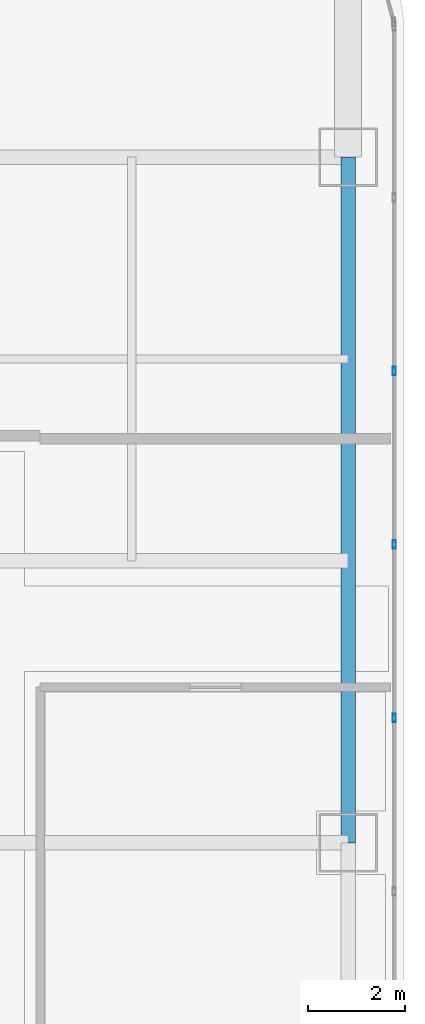
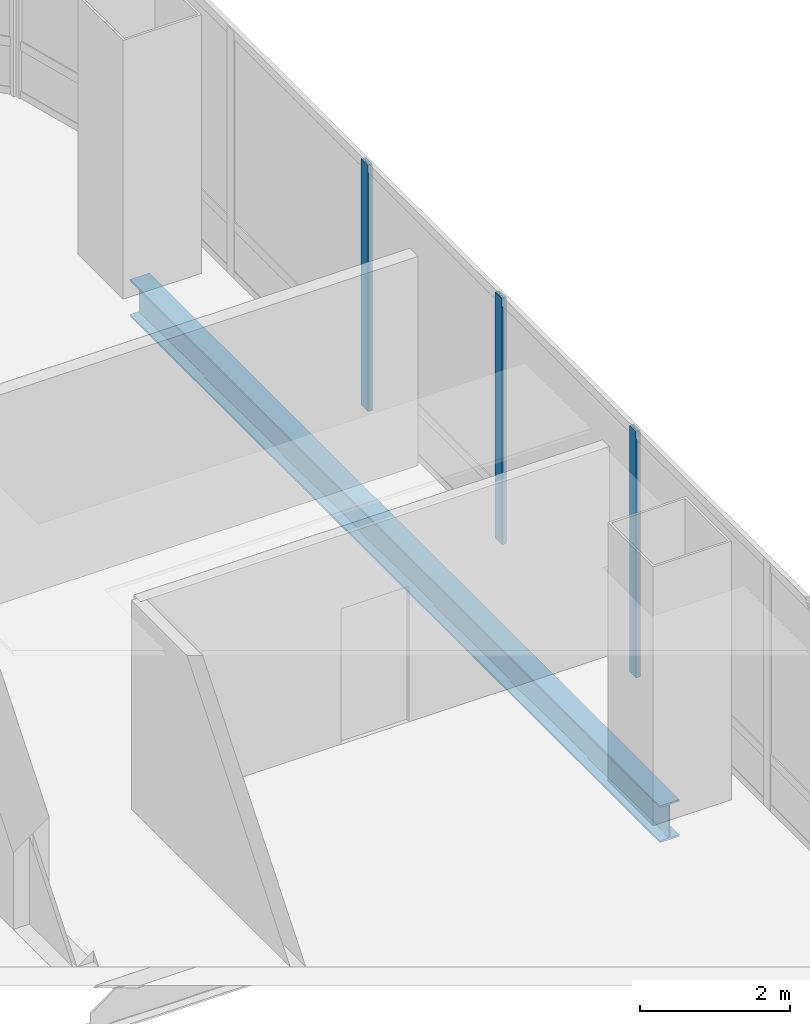
# One storey, part 20 of 41: 3 members, 1 beam, 1 element without a shape of its own.
"""IFC4 building model written with IfcOpenShell, lengths in metres."""

from ifc_helpers import new_model, si_unit, direction, frame, origin, origin_2d, place, context, subcontext, project, spatial, hollow_rectangle, i_section, extrude, material, material_profile, profile_set, type_object, element, aggregate, save


model = new_model("IFC4")

# Units and contexts
model_context = context("Model", 3, precision=1e-05, world=origin(), true_north=direction((0.0, 1.0)))
body_context = subcontext(model_context, "Body", "Model", "MODEL_VIEW")
ifc_project = project(units=[si_unit("LENGTHUNIT", "METRE"), si_unit("AREAUNIT", "SQUARE_METRE"), si_unit("VOLUMEUNIT", "CUBIC_METRE"), si_unit("PLANEANGLEUNIT", "RADIAN"), si_unit("MASSUNIT", "GRAM", prefix="KILO")], contexts=[model_context])

# Site, building, storey
site_placement = place(None, origin())
site = spatial("IfcSite", under=ifc_project, at=site_placement, CompositionType="ELEMENT")
building_placement = place(site_placement, origin())
building = spatial("IfcBuilding", under=site, at=building_placement, Name="Punatoya Terracotta Tower", CompositionType="ELEMENT")
storey_placement = place(building_placement, frame((0.0, 0.0, 288.0)))
storey = spatial("IfcBuildingStorey", under=building, at=storey_placement, Name="L68", CompositionType="ELEMENT", Elevation=288.0)

# Beam
ifc_material_1 = material(Name="Steel S355", Category="steel")
ifc_material_profile_1 = material_profile(ifc_material_1, i_section(OverallWidth=0.300048828125, OverallDepth=0.60009765625, WebThickness=0.015380859375, FlangeThickness=0.030029296875, FilletRadius=0.01806640625, at=origin_2d()))
ifc_profile_set_1 = profile_set([ifc_material_profile_1], Name="Steel S355")
beam_type = type_object("IfcBeamType", Name="BM-PRI-600", PredefinedType="BEAM", material=ifc_profile_set_1)
beam_placement = place(storey_placement, frame((19.10009765625, 3.39990234375, -0.5), z_axis=(0.0, 1.0, 0.0), x_axis=(-1.0, 0.0, 0.0)))
element("IfcBeam", 1, at=beam_placement, inside=storey, type_object=beam_type, Name="BM-L68-RG-E3", PredefinedType="BEAM", context=body_context, shape_type="SweptSolid", body=[
    extrude(i_section(OverallWidth=0.300048828125, OverallDepth=0.60009765625, WebThickness=0.015380859375, FlangeThickness=0.030029296875, FilletRadius=0.01806640625, at=origin_2d()), origin(), (0.0, 0.0, 1.0), 14.10009765625),
])

# Curtain wall, members
ifc_material_2 = material(Name="Aluminium 6063-T6 + Double Low-E Glass", Category="aluminium")
curtain_wall_type = type_object("IfcCurtainWallType", Name="CW-M3", PredefinedType="NOTDEFINED", material=ifc_material_2)
curtain_wall_placement = place(storey_placement, origin())
curtain_wall = element("IfcCurtainWall", 2, at=curtain_wall_placement, inside=storey, type_object=curtain_wall_type, Name="L68 Curtain Wall CW-L68-E05-1", PredefinedType="NOTDEFINED")
ifc_material_3 = material(Name="Aluminium 6063-T6", Category="aluminium")
ifc_material_profile_2 = material_profile(ifc_material_3, hollow_rectangle(XDim=0.070068359375, YDim=0.179931640625, WallThickness=0.00390625, at=origin_2d()))
ifc_profile_set_2 = profile_set([ifc_material_profile_2], Name="Aluminium 6063-T6")
member_type = type_object("IfcMemberType", Name="CW-MUL-M3", PredefinedType="MULLION", material=ifc_profile_set_2)
member_1_placement = place(storey_placement, frame((20.050048828125, 5.96728515625, 0.0), z_axis=(0.0, 0.0, 1.0), x_axis=(1.0, 0.0, 0.0)))
member_1 = element("IfcMember", 3, at=member_1_placement, type_object=member_type, Name="CW-L68-E05-1 Mullion 06", PredefinedType="MULLION", context=body_context, shape_type="SweptSolid", body=[
    extrude(hollow_rectangle(XDim=0.070068359375, YDim=0.179931640625, WallThickness=0.00390625, at=origin_2d()), origin(), (0.0, 0.0, 1.0), 4.0),
])
member_2_placement = place(storey_placement, frame((20.050048828125, 9.534912109375, 0.0), z_axis=(0.0, 0.0, 1.0), x_axis=(1.0, 0.0, 0.0)))
member_2 = element("IfcMember", 4, at=member_2_placement, type_object=member_type, Name="CW-L68-E05-1 Mullion 07", PredefinedType="MULLION", context=body_context, shape_type="SweptSolid", body=[
    extrude(hollow_rectangle(XDim=0.070068359375, YDim=0.179931640625, WallThickness=0.00390625, at=origin_2d()), origin(), (0.0, 0.0, 1.0), 4.0),
])
member_3_placement = place(storey_placement, frame((20.050048828125, 13.10205078125, 0.0), z_axis=(0.0, 0.0, 1.0), x_axis=(1.0, 0.0, 0.0)))
member_3 = element("IfcMember", 5, at=member_3_placement, type_object=member_type, Name="CW-L68-E05-1 Mullion 08", PredefinedType="MULLION", context=body_context, shape_type="SweptSolid", body=[
    extrude(hollow_rectangle(XDim=0.070068359375, YDim=0.179931640625, WallThickness=0.00390625, at=origin_2d()), origin(), (0.0, 0.0, 1.0), 4.0),
])
aggregate(curtain_wall, [member_1, member_2, member_3])

save(model, "model.ifc")
